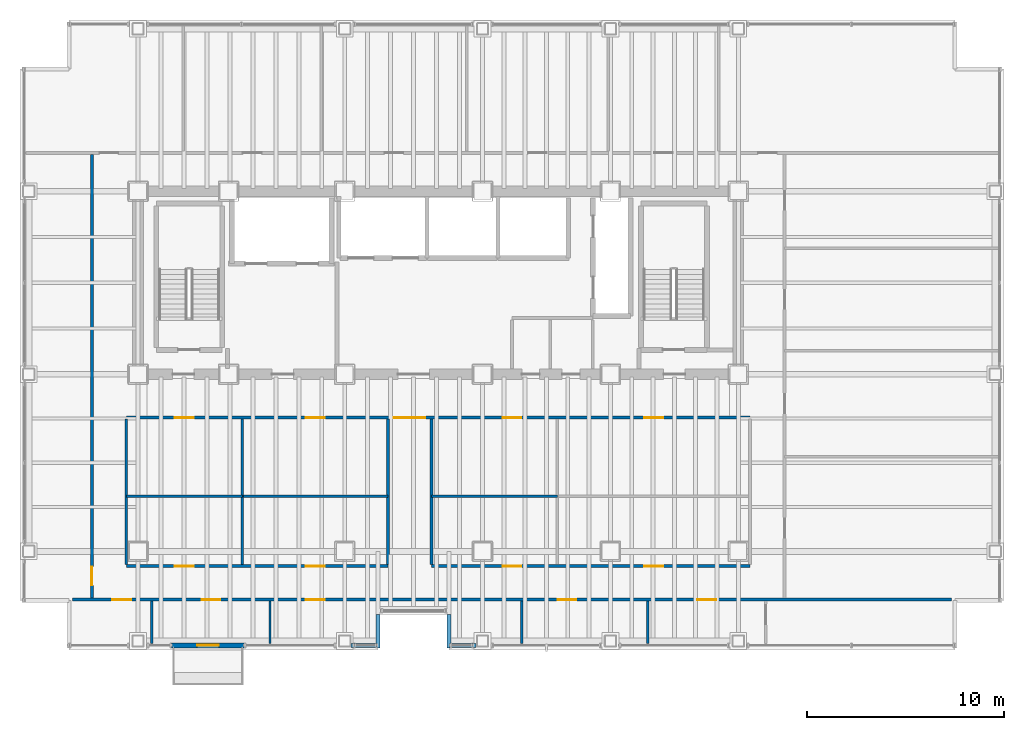
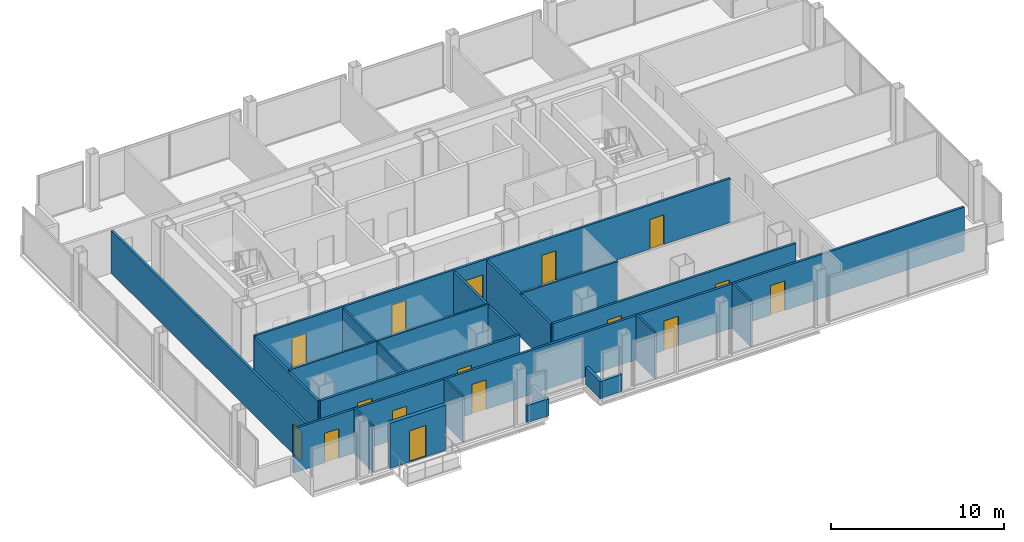
# One storey, part 17 of 20: 21 walls, 16 doors, 16 openings.
"""IFC4 building model written with IfcOpenShell, lengths in metres."""

from ifc_helpers import new_model, si_unit, direction, frame, frame_2d, origin, place, context, subcontext, project, spatial, rectangle, extrude, material, layer, layer_set, type_object, element, fill, save


model = new_model("IFC4")

# Units and contexts
model_context = context("Model", 3, precision=1e-05, world=origin(), true_north=direction((0.0, 1.0)))
body_context = subcontext(model_context, "Body", "Model", "MODEL_VIEW")
ifc_project = project(units=[si_unit("LENGTHUNIT", "METRE"), si_unit("AREAUNIT", "SQUARE_METRE"), si_unit("VOLUMEUNIT", "CUBIC_METRE"), si_unit("PLANEANGLEUNIT", "RADIAN"), si_unit("MASSUNIT", "GRAM", prefix="KILO")], contexts=[model_context])

# Site, building, storey
site_placement = place(None, origin())
site = spatial("IfcSite", under=ifc_project, at=site_placement, CompositionType="ELEMENT")
building_placement = place(site_placement, origin())
building = spatial("IfcBuilding", under=site, at=building_placement, Name="Noeulbin Bourse Tower", CompositionType="ELEMENT")
storey_placement = place(building_placement, frame((0.0, 0.0, 69.39990234375)))
storey = spatial("IfcBuildingStorey", under=building, at=storey_placement, Name="L17", CompositionType="ELEMENT", Elevation=69.39990234375)

# Wall, opening, door
ifc_material_1 = material(Name="Precast Concrete C40/50", Category="concrete")
ifc_layer_1 = layer(ifc_material_1, 0.25)
ifc_layer_set_1 = layer_set([ifc_layer_1], Name="Precast Concrete C40/50")
wall_type_1 = type_object("IfcWallType", Name="WAL-EXT-250", PredefinedType="STANDARD", material=ifc_layer_set_1)
wall_1_placement = place(storey_placement, frame((15.199951171875, 15.219970703125, 0.0), z_axis=(0.0, 0.0, 1.0), x_axis=(1.0, 0.0, 0.0)))
wall_1 = element("IfcWall", 1, at=wall_1_placement, inside=storey, type_object=wall_type_1, Name="Balcony Threshold Wall L17", PredefinedType="STANDARD", context=body_context, shape_type="SweptSolid", body=[
    extrude(rectangle(XDim=3.699951171875, YDim=0.25, at=frame_2d((1.85009765625, 0.0))), origin(), (0.0, 0.0, 1.0), 3.18017578125),
])
opening_1_placement = place(wall_1_placement, frame((1.300048828125, 0.0, 0.0)))
opening_1 = element("IfcOpeningElement", 2, at=opening_1_placement, cuts=wall_1, Name="Opening BD-11", PredefinedType="OPENING", context=body_context, shape_type="SweptSolid", body=[
    extrude(rectangle(XDim=1.10009765625, YDim=2.199951171875, at=frame_2d((0.550048828125, 1.10009765625))), frame((0.0, 0.135009765625, 0.0), z_axis=(0.0, -1.0, 0.0), x_axis=(1.0, 0.0, 0.0)), (0.0, 0.0, 1.0), 0.27001953125),
])
ifc_material_2 = material(Name="Thermally Broken Aluminium Framed Glass", Category="aluminium")
door_type_1 = type_object("IfcDoorType", Name="DR-BAL-1100", OperationType="SINGLE_SWING_LEFT", PredefinedType="DOOR", material=ifc_material_2)
door_1_placement = place(opening_1_placement, origin())
door_1 = element("IfcDoor", 3, at=door_1_placement, inside=storey, type_object=door_type_1, Name="Tree-Balcony Access Door BD-L17", OperationType="SINGLE_SWING_LEFT", OverallHeight=2.199951171875, OverallWidth=1.10009765625, PredefinedType="DOOR", context=body_context, shape_type="SweptSolid", body=[
    extrude(rectangle(XDim=1.10009765625, YDim=2.199951171875, at=frame_2d((0.550048828125, 1.10009765625))), frame((0.0, 0.02490234375, 0.0), z_axis=(0.0, -1.0, 0.0), x_axis=(1.0, 0.0, 0.0)), (0.0, 0.0, 1.0), 0.050048828125),
])
fill(opening_1, door_1)

# Walls
ifc_material_3 = material(Name="Concrete C40/50", Category="concrete")
ifc_layer_2 = layer(ifc_material_3, 0.199951171875)
ifc_layer_set_2 = layer_set([ifc_layer_2], Name="Concrete C40/50")
wall_type_2 = type_object("IfcWallType", Name="WAL-PAR-200", PredefinedType="PARAPET", material=ifc_layer_set_2)
for number, where, z_axis, x_axis, name in (
    (4, (24.320068359375, 15.219970703125, 0.0), (0.0, 0.0, 1.0), (1.0, 0.0, 0.0), "Perimeter Pier Spandrel Parapet L17-S1"),
    (5, (29.35009765625, 15.219970703125, 0.0), (0.0, 0.0, 1.0), (1.0, 0.0, 0.0), "Perimeter Pier Spandrel Parapet L17-S2"),
):
    element("IfcWall", number, at=place(storey_placement, frame(where, z_axis=z_axis, x_axis=x_axis)), inside=storey, type_object=wall_type_2, Name=name, PredefinedType="PARAPET", context=body_context, shape_type="SweptSolid", body=[
        extrude(rectangle(XDim=1.329833984375, YDim=0.199951171875, at=frame_2d((0.6650390625, 0.0))), origin(), (0.0, 0.0, 1.0), 1.2001953125),
    ])
for number, where, z_axis, x_axis, name in (
    (6, (25.699951171875, 15.10009765625, 0.0), (0.0, 0.0, 1.0), (0.0, 1.0, 0.0), "Sky-Garden Recess Parapet L17-W"),
    (7, (29.300048828125, 16.800048828125, 0.0), (0.0, 0.0, 1.0), (0.0, -1.0, 0.0), "Sky-Garden Recess Parapet L17-E"),
):
    element("IfcWall", number, at=place(storey_placement, frame(where, z_axis=z_axis, x_axis=x_axis)), inside=storey, type_object=wall_type_2, Name=name, PredefinedType="PARAPET", context=body_context, shape_type="SweptSolid", body=[
        extrude(rectangle(XDim=1.699951171875, YDim=0.199951171875, at=frame_2d((0.85009765625, 0.0))), origin(), (0.0, 0.0, 1.0), 1.2001953125),
    ])
ifc_material_4 = material(Name="Steel Stud Gypsum Partition", Category="steel")
ifc_layer_3 = layer(ifc_material_4, 0.1201171875)
ifc_layer_set_3 = layer_set([ifc_layer_3], Name="Steel Stud Gypsum Partition")
wall_type_3 = type_object("IfcWallType", Name="WAL-PRT-120", PredefinedType="PARTITIONING", material=ifc_layer_set_3)
wall_2_placement = place(storey_placement, frame((12.89990234375, 22.800048828125, 0.0), z_axis=(0.0, 0.0, 1.0), x_axis=(1.0, 0.0, 0.0)))
element("IfcWall", 8, at=wall_2_placement, inside=storey, type_object=wall_type_3, Name="Interior Partition Wall L17-07", PredefinedType="PARTITIONING", context=body_context, shape_type="SweptSolid", body=[
    extrude(rectangle(XDim=5.900146484375, YDim=0.1201171875, at=frame_2d((2.9501953125, 0.0))), origin(), (0.0, 0.0, 1.0), 3.10009765625),
])
wall_3_placement = place(storey_placement, frame((18.800048828125, 22.800048828125, 0.0), z_axis=(0.0, 0.0, 1.0), x_axis=(1.0, 0.0, 0.0)))
element("IfcWall", 9, at=wall_3_placement, inside=storey, type_object=wall_type_3, Name="Interior Partition Wall L17-08", PredefinedType="PARTITIONING", context=body_context, shape_type="SweptSolid", body=[
    extrude(rectangle(XDim=7.39990234375, YDim=0.1201171875, at=frame_2d((3.699951171875, 0.0))), origin(), (0.0, 0.0, 1.0), 3.10009765625),
])
wall_4_placement = place(storey_placement, frame((28.39990234375, 22.800048828125, 0.0), z_axis=(0.0, 0.0, 1.0), x_axis=(1.0, 0.0, 0.0)))
element("IfcWall", 10, at=wall_4_placement, inside=storey, type_object=wall_type_3, Name="Interior Partition Wall L17-09", PredefinedType="PARTITIONING", context=body_context, shape_type="SweptSolid", body=[
    extrude(rectangle(XDim=6.400146484375, YDim=0.1201171875, at=frame_2d((3.2001953125, 0.0))), origin(), (0.0, 0.0, 1.0), 3.10009765625),
])
for number, where, z_axis, x_axis, name in (
    (11, (14.199951171875, 15.31005859375, 0.0), (0.0, 0.0, 1.0), (0.0, 1.0, 0.0), "Interior Partition Wall L17-27"),
    (12, (20.199951171875, 15.31005859375, 0.0), (0.0, 0.0, 1.0), (0.0, 1.0, 0.0), "Interior Partition Wall L17-28"),
    (13, (33.0, 15.31005859375, 0.0), (0.0, 0.0, 1.0), (0.0, 1.0, 0.0), "Interior Partition Wall L17-29"),
    (14, (39.39990234375, 15.31005859375, 0.0), (0.0, 0.0, 1.0), (0.0, 1.0, 0.0), "Interior Partition Wall L17-30"),
):
    element("IfcWall", number, at=place(storey_placement, frame(where, z_axis=z_axis, x_axis=x_axis)), inside=storey, type_object=wall_type_3, Name=name, PredefinedType="PARTITIONING", context=body_context, shape_type="SweptSolid", body=[
        extrude(rectangle(XDim=2.155029296875, YDim=0.1201171875, at=frame_2d((1.07763671875, 0.0))), origin(), (0.0, 0.0, 1.0), 3.212158203125),
    ])
wall_5_placement = place(storey_placement, frame((18.800048828125, 19.3349609375, 0.0), z_axis=(0.0, 0.0, 1.0), x_axis=(0.0, 1.0, 0.0)))
element("IfcWall", 15, at=wall_5_placement, inside=storey, type_object=wall_type_3, Name="Interior Partition Wall L17-32", PredefinedType="PARTITIONING", context=body_context, shape_type="SweptSolid", body=[
    extrude(rectangle(XDim=7.380126953125, YDim=0.1201171875, at=frame_2d((3.68994140625, 0.0))), origin(), (0.0, 0.0, 1.0), 3.0),
])

# Wall, openings, doors
ifc_material_5 = material(Name="Steel Stud Acoustic Gypsum Board", Category="steel")
ifc_layer_4 = layer(ifc_material_5, 0.14990234375)
ifc_layer_set_4 = layer_set([ifc_layer_4], Name="Steel Stud Acoustic Gypsum Board")
wall_type_4 = type_object("IfcWallType", Name="WAL-PRT-150", PredefinedType="PARTITIONING", material=ifc_layer_set_4)
wall_6_placement = place(storey_placement, frame((12.89990234375, 26.800048828125, 0.0), z_axis=(0.0, 0.0, 1.0), x_axis=(1.0, 0.0, 0.0)))
wall_6 = element("IfcWall", 16, at=wall_6_placement, inside=storey, type_object=wall_type_4, Name="Interior Partition Wall L17-03", PredefinedType="PARTITIONING", context=body_context, shape_type="SweptSolid", body=[
    extrude(rectangle(XDim=31.7001953125, YDim=0.14990234375, at=frame_2d((15.85009765625, 0.0))), origin(), (0.0, 0.0, 1.0), 3.10009765625),
])
opening_2_placement = place(wall_6_placement, frame((13.60009765625, 0.0, 0.0)))
opening_2 = element("IfcOpeningElement", 17, at=opening_2_placement, cuts=wall_6, Name="Opening ID-16", PredefinedType="OPENING", context=body_context, shape_type="SweptSolid", body=[
    extrude(rectangle(XDim=1.60009765625, YDim=2.080078125, at=frame_2d((0.800048828125, 1.0400390625))), frame((0.0, 0.0849609375, 0.0), z_axis=(0.0, -1.0, 0.0), x_axis=(1.0, 0.0, 0.0)), (0.0, 0.0, 1.0), 0.169921875),
])
opening_3_placement = place(wall_6_placement, frame((2.47509765625, 0.0, 0.0)))
opening_3 = element("IfcOpeningElement", 18, at=opening_3_placement, cuts=wall_6, Name="Opening ID-09", PredefinedType="OPENING", context=body_context, shape_type="SweptSolid", body=[
    extrude(rectangle(XDim=0.949951171875, YDim=2.080078125, at=frame_2d((0.47509765625, 1.0400390625))), frame((0.0, 0.0849609375, 0.0), z_axis=(0.0, -1.0, 0.0), x_axis=(1.0, 0.0, 0.0)), (0.0, 0.0, 1.0), 0.169921875),
])
opening_4_placement = place(wall_6_placement, frame((9.125, 0.0, 0.0)))
opening_4 = element("IfcOpeningElement", 19, at=opening_4_placement, cuts=wall_6, Name="Opening ID-09", PredefinedType="OPENING", context=body_context, shape_type="SweptSolid", body=[
    extrude(rectangle(XDim=0.949951171875, YDim=2.080078125, at=frame_2d((0.47509765625, 1.0400390625))), frame((0.0, 0.0849609375, 0.0), z_axis=(0.0, -1.0, 0.0), x_axis=(1.0, 0.0, 0.0)), (0.0, 0.0, 1.0), 0.169921875),
])
opening_5_placement = place(wall_6_placement, frame((19.125, 0.0, 0.0)))
opening_5 = element("IfcOpeningElement", 20, at=opening_5_placement, cuts=wall_6, Name="Opening ID-09", PredefinedType="OPENING", context=body_context, shape_type="SweptSolid", body=[
    extrude(rectangle(XDim=0.949951171875, YDim=2.080078125, at=frame_2d((0.47509765625, 1.0400390625))), frame((0.0, 0.0849609375, 0.0), z_axis=(0.0, -1.0, 0.0), x_axis=(1.0, 0.0, 0.0)), (0.0, 0.0, 1.0), 0.169921875),
])
opening_6_placement = place(wall_6_placement, frame((26.324951171875, 0.0, 0.0)))
opening_6 = element("IfcOpeningElement", 21, at=opening_6_placement, cuts=wall_6, Name="Opening ID-09", PredefinedType="OPENING", context=body_context, shape_type="SweptSolid", body=[
    extrude(rectangle(XDim=0.949951171875, YDim=2.080078125, at=frame_2d((0.47509765625, 1.0400390625))), frame((0.0, 0.0849609375, 0.0), z_axis=(0.0, -1.0, 0.0), x_axis=(1.0, 0.0, 0.0)), (0.0, 0.0, 1.0), 0.169921875),
])
ifc_material_6 = material(Name="Acoustic Glazed Aluminium", Category="aluminium")
door_type_2 = type_object("IfcDoorType", Name="DR-DBL-1600", OperationType="DOUBLE_DOOR_SINGLE_SWING", PredefinedType="DOOR", material=ifc_material_6)
door_2_placement = place(opening_2_placement, origin())
door_2 = element("IfcDoor", 22, at=door_2_placement, inside=storey, type_object=door_type_2, Name="Interior Door L17-07", OperationType="DOUBLE_DOOR_SINGLE_SWING", OverallHeight=2.080078125, OverallWidth=1.60009765625, PredefinedType="DOOR", context=body_context, shape_type="SweptSolid", body=[
    extrude(rectangle(XDim=1.60009765625, YDim=2.080078125, at=frame_2d((0.800048828125, 1.0400390625))), frame((0.0, 0.02490234375, 0.0), z_axis=(0.0, -1.0, 0.0), x_axis=(1.0, 0.0, 0.0)), (0.0, 0.0, 1.0), 0.050048828125),
])
fill(opening_2, door_2)
ifc_material_7 = material(Name="Acoustic Solid-Core Timber", Category="wood")
door_type_3 = type_object("IfcDoorType", Name="DR-SINGLE-950", OperationType="SINGLE_SWING_LEFT", PredefinedType="DOOR", material=ifc_material_7)
door_3_placement = place(opening_3_placement, origin())
door_3 = element("IfcDoor", 23, at=door_3_placement, inside=storey, type_object=door_type_3, Name="Interior Door L17-14", OperationType="SINGLE_SWING_LEFT", OverallHeight=2.080078125, OverallWidth=0.949951171875, PredefinedType="DOOR", context=body_context, shape_type="SweptSolid", body=[
    extrude(rectangle(XDim=0.949951171875, YDim=2.080078125, at=frame_2d((0.47509765625, 1.0400390625))), frame((0.0, 0.02490234375, 0.0), z_axis=(0.0, -1.0, 0.0), x_axis=(1.0, 0.0, 0.0)), (0.0, 0.0, 1.0), 0.050048828125),
])
fill(opening_3, door_3)
door_4_placement = place(opening_4_placement, origin())
door_4 = element("IfcDoor", 24, at=door_4_placement, inside=storey, type_object=door_type_3, Name="Interior Door L17-16", OperationType="SINGLE_SWING_LEFT", OverallHeight=2.080078125, OverallWidth=0.949951171875, PredefinedType="DOOR", context=body_context, shape_type="SweptSolid", body=[
    extrude(rectangle(XDim=0.949951171875, YDim=2.080078125, at=frame_2d((0.47509765625, 1.0400390625))), frame((0.0, 0.02490234375, 0.0), z_axis=(0.0, -1.0, 0.0), x_axis=(1.0, 0.0, 0.0)), (0.0, 0.0, 1.0), 0.050048828125),
])
fill(opening_4, door_4)
door_5_placement = place(opening_5_placement, origin())
door_5 = element("IfcDoor", 25, at=door_5_placement, inside=storey, type_object=door_type_3, Name="Interior Door L17-18", OperationType="SINGLE_SWING_LEFT", OverallHeight=2.080078125, OverallWidth=0.949951171875, PredefinedType="DOOR", context=body_context, shape_type="SweptSolid", body=[
    extrude(rectangle(XDim=0.949951171875, YDim=2.080078125, at=frame_2d((0.47509765625, 1.0400390625))), frame((0.0, 0.02490234375, 0.0), z_axis=(0.0, -1.0, 0.0), x_axis=(1.0, 0.0, 0.0)), (0.0, 0.0, 1.0), 0.050048828125),
])
fill(opening_5, door_5)
door_6_placement = place(opening_6_placement, origin())
door_6 = element("IfcDoor", 26, at=door_6_placement, inside=storey, type_object=door_type_3, Name="Interior Door L17-20", OperationType="SINGLE_SWING_LEFT", OverallHeight=2.080078125, OverallWidth=0.949951171875, PredefinedType="DOOR", context=body_context, shape_type="SweptSolid", body=[
    extrude(rectangle(XDim=0.949951171875, YDim=2.080078125, at=frame_2d((0.47509765625, 1.0400390625))), frame((0.0, 0.02490234375, 0.0), z_axis=(0.0, -1.0, 0.0), x_axis=(1.0, 0.0, 0.0)), (0.0, 0.0, 1.0), 0.050048828125),
])
fill(opening_6, door_6)

wall_7_placement = place(storey_placement, frame((10.159912109375, 17.550048828125, 0.0), z_axis=(0.0, 0.0, 1.0), x_axis=(1.0, 0.0, 0.0)))
wall_7 = element("IfcWall", 27, at=wall_7_placement, inside=storey, type_object=wall_type_4, Name="Interior Partition Wall L17-04", PredefinedType="PARTITIONING", context=body_context, shape_type="SweptSolid", body=[
    extrude(rectangle(XDim=44.68017578125, YDim=0.14990234375, at=frame_2d((22.340087890625, 0.0))), origin(), (0.0, 0.0, 1.0), 3.10009765625),
])
opening_7_placement = place(wall_7_placement, frame((2.0400390625, 0.0, 0.0)))
opening_7 = element("IfcOpeningElement", 28, at=opening_7_placement, cuts=wall_7, Name="Opening ID-09", PredefinedType="OPENING", context=body_context, shape_type="SweptSolid", body=[
    extrude(rectangle(XDim=0.949951171875, YDim=2.080078125, at=frame_2d((0.47509765625, 1.0400390625))), frame((0.0, 0.0849609375, 0.0), z_axis=(0.0, -1.0, 0.0), x_axis=(1.0, 0.0, 0.0)), (0.0, 0.0, 1.0), 0.169921875),
])
opening_8_placement = place(wall_7_placement, frame((6.56494140625, 0.0, 0.0)))
opening_8 = element("IfcOpeningElement", 29, at=opening_8_placement, cuts=wall_7, Name="Opening ID-09", PredefinedType="OPENING", context=body_context, shape_type="SweptSolid", body=[
    extrude(rectangle(XDim=0.949951171875, YDim=2.080078125, at=frame_2d((0.47509765625, 1.0400390625))), frame((0.0, 0.0849609375, 0.0), z_axis=(0.0, -1.0, 0.0), x_axis=(1.0, 0.0, 0.0)), (0.0, 0.0, 1.0), 0.169921875),
])
opening_9_placement = place(wall_7_placement, frame((11.864990234375, 0.0, 0.0)))
opening_9 = element("IfcOpeningElement", 30, at=opening_9_placement, cuts=wall_7, Name="Opening ID-09", PredefinedType="OPENING", context=body_context, shape_type="SweptSolid", body=[
    extrude(rectangle(XDim=0.949951171875, YDim=2.080078125, at=frame_2d((0.47509765625, 1.0400390625))), frame((0.0, 0.0849609375, 0.0), z_axis=(0.0, -1.0, 0.0), x_axis=(1.0, 0.0, 0.0)), (0.0, 0.0, 1.0), 0.169921875),
])
opening_10_placement = place(wall_7_placement, frame((24.6650390625, 0.0, 0.0)))
opening_10 = element("IfcOpeningElement", 31, at=opening_10_placement, cuts=wall_7, Name="Opening ID-09", PredefinedType="OPENING", context=body_context, shape_type="SweptSolid", body=[
    extrude(rectangle(XDim=0.949951171875, YDim=2.080078125, at=frame_2d((0.47509765625, 1.0400390625))), frame((0.0, 0.0849609375, 0.0), z_axis=(0.0, -1.0, 0.0), x_axis=(1.0, 0.0, 0.0)), (0.0, 0.0, 1.0), 0.169921875),
])
opening_11_placement = place(wall_7_placement, frame((31.764892578125, 0.0, 0.0)))
opening_11 = element("IfcOpeningElement", 32, at=opening_11_placement, cuts=wall_7, Name="Opening ID-09", PredefinedType="OPENING", context=body_context, shape_type="SweptSolid", body=[
    extrude(rectangle(XDim=0.949951171875, YDim=2.080078125, at=frame_2d((0.47509765625, 1.0400390625))), frame((0.0, 0.0849609375, 0.0), z_axis=(0.0, -1.0, 0.0), x_axis=(1.0, 0.0, 0.0)), (0.0, 0.0, 1.0), 0.169921875),
])
door_7_placement = place(opening_7_placement, origin())
door_7 = element("IfcDoor", 33, at=door_7_placement, inside=storey, type_object=door_type_3, Name="Interior Door L17-08", OperationType="SINGLE_SWING_LEFT", OverallHeight=2.080078125, OverallWidth=0.949951171875, PredefinedType="DOOR", context=body_context, shape_type="SweptSolid", body=[
    extrude(rectangle(XDim=0.949951171875, YDim=2.080078125, at=frame_2d((0.47509765625, 1.0400390625))), frame((0.0, 0.02490234375, 0.0), z_axis=(0.0, -1.0, 0.0), x_axis=(1.0, 0.0, 0.0)), (0.0, 0.0, 1.0), 0.050048828125),
])
fill(opening_7, door_7)
door_8_placement = place(opening_8_placement, origin())
door_8 = element("IfcDoor", 34, at=door_8_placement, inside=storey, type_object=door_type_3, Name="Interior Door L17-09", OperationType="SINGLE_SWING_RIGHT", OverallHeight=2.080078125, OverallWidth=0.949951171875, PredefinedType="DOOR", context=body_context, shape_type="SweptSolid", body=[
    extrude(rectangle(XDim=0.949951171875, YDim=2.080078125, at=frame_2d((0.47509765625, 1.0400390625))), frame((0.0, 0.02490234375, 0.0), z_axis=(0.0, -1.0, 0.0), x_axis=(1.0, 0.0, 0.0)), (0.0, 0.0, 1.0), 0.050048828125),
])
fill(opening_8, door_8)
door_9_placement = place(opening_9_placement, origin())
door_9 = element("IfcDoor", 35, at=door_9_placement, inside=storey, type_object=door_type_3, Name="Interior Door L17-10", OperationType="SINGLE_SWING_LEFT", OverallHeight=2.080078125, OverallWidth=0.949951171875, PredefinedType="DOOR", context=body_context, shape_type="SweptSolid", body=[
    extrude(rectangle(XDim=0.949951171875, YDim=2.080078125, at=frame_2d((0.47509765625, 1.0400390625))), frame((0.0, 0.02490234375, 0.0), z_axis=(0.0, -1.0, 0.0), x_axis=(1.0, 0.0, 0.0)), (0.0, 0.0, 1.0), 0.050048828125),
])
fill(opening_9, door_9)
door_10_placement = place(opening_10_placement, origin())
door_10 = element("IfcDoor", 36, at=door_10_placement, inside=storey, type_object=door_type_3, Name="Interior Door L17-11", OperationType="SINGLE_SWING_RIGHT", OverallHeight=2.080078125, OverallWidth=0.949951171875, PredefinedType="DOOR", context=body_context, shape_type="SweptSolid", body=[
    extrude(rectangle(XDim=0.949951171875, YDim=2.080078125, at=frame_2d((0.47509765625, 1.0400390625))), frame((0.0, 0.02490234375, 0.0), z_axis=(0.0, -1.0, 0.0), x_axis=(1.0, 0.0, 0.0)), (0.0, 0.0, 1.0), 0.050048828125),
])
fill(opening_10, door_10)
door_11_placement = place(opening_11_placement, origin())
door_11 = element("IfcDoor", 37, at=door_11_placement, inside=storey, type_object=door_type_3, Name="Interior Door L17-12", OperationType="SINGLE_SWING_LEFT", OverallHeight=2.080078125, OverallWidth=0.949951171875, PredefinedType="DOOR", context=body_context, shape_type="SweptSolid", body=[
    extrude(rectangle(XDim=0.949951171875, YDim=2.080078125, at=frame_2d((0.47509765625, 1.0400390625))), frame((0.0, 0.02490234375, 0.0), z_axis=(0.0, -1.0, 0.0), x_axis=(1.0, 0.0, 0.0)), (0.0, 0.0, 1.0), 0.050048828125),
])
fill(opening_11, door_11)

wall_8_placement = place(storey_placement, frame((12.89990234375, 19.25, 0.0), z_axis=(0.0, 0.0, 1.0), x_axis=(1.0, 0.0, 0.0)))
wall_8 = element("IfcWall", 38, at=wall_8_placement, inside=storey, type_object=wall_type_4, Name="Interior Partition Wall L17-05", PredefinedType="PARTITIONING", context=body_context, shape_type="SweptSolid", body=[
    extrude(rectangle(XDim=13.300048828125, YDim=0.14990234375, at=frame_2d((6.64990234375, 0.0))), origin(), (0.0, 0.0, 1.0), 3.10009765625),
])
opening_12_placement = place(wall_8_placement, frame((2.47509765625, 0.0, 0.0)))
opening_12 = element("IfcOpeningElement", 39, at=opening_12_placement, cuts=wall_8, Name="Opening ID-09", PredefinedType="OPENING", context=body_context, shape_type="SweptSolid", body=[
    extrude(rectangle(XDim=0.949951171875, YDim=2.080078125, at=frame_2d((0.47509765625, 1.0400390625))), frame((0.0, 0.0849609375, 0.0), z_axis=(0.0, -1.0, 0.0), x_axis=(1.0, 0.0, 0.0)), (0.0, 0.0, 1.0), 0.169921875),
])
opening_13_placement = place(wall_8_placement, frame((9.125, 0.0, 0.0)))
opening_13 = element("IfcOpeningElement", 40, at=opening_13_placement, cuts=wall_8, Name="Opening ID-09", PredefinedType="OPENING", context=body_context, shape_type="SweptSolid", body=[
    extrude(rectangle(XDim=0.949951171875, YDim=2.080078125, at=frame_2d((0.47509765625, 1.0400390625))), frame((0.0, 0.0849609375, 0.0), z_axis=(0.0, -1.0, 0.0), x_axis=(1.0, 0.0, 0.0)), (0.0, 0.0, 1.0), 0.169921875),
])
door_12_placement = place(opening_12_placement, origin())
door_12 = element("IfcDoor", 41, at=door_12_placement, inside=storey, type_object=door_type_3, Name="Interior Door L17-15", OperationType="SINGLE_SWING_RIGHT", OverallHeight=2.080078125, OverallWidth=0.949951171875, PredefinedType="DOOR", context=body_context, shape_type="SweptSolid", body=[
    extrude(rectangle(XDim=0.949951171875, YDim=2.080078125, at=frame_2d((0.47509765625, 1.0400390625))), frame((0.0, 0.02490234375, 0.0), z_axis=(0.0, -1.0, 0.0), x_axis=(1.0, 0.0, 0.0)), (0.0, 0.0, 1.0), 0.050048828125),
])
fill(opening_12, door_12)
door_13_placement = place(opening_13_placement, origin())
door_13 = element("IfcDoor", 42, at=door_13_placement, inside=storey, type_object=door_type_3, Name="Interior Door L17-17", OperationType="SINGLE_SWING_RIGHT", OverallHeight=2.080078125, OverallWidth=0.949951171875, PredefinedType="DOOR", context=body_context, shape_type="SweptSolid", body=[
    extrude(rectangle(XDim=0.949951171875, YDim=2.080078125, at=frame_2d((0.47509765625, 1.0400390625))), frame((0.0, 0.02490234375, 0.0), z_axis=(0.0, -1.0, 0.0), x_axis=(1.0, 0.0, 0.0)), (0.0, 0.0, 1.0), 0.050048828125),
])
fill(opening_13, door_13)

wall_9_placement = place(storey_placement, frame((28.39990234375, 19.25, 0.0), z_axis=(0.0, 0.0, 1.0), x_axis=(1.0, 0.0, 0.0)))
wall_9 = element("IfcWall", 43, at=wall_9_placement, inside=storey, type_object=wall_type_4, Name="Interior Partition Wall L17-06", PredefinedType="PARTITIONING", context=body_context, shape_type="SweptSolid", body=[
    extrude(rectangle(XDim=16.2001953125, YDim=0.14990234375, at=frame_2d((8.10009765625, 0.0))), origin(), (0.0, 0.0, 1.0), 3.10009765625),
])
opening_14_placement = place(wall_9_placement, frame((3.625, 0.0, 0.0)))
opening_14 = element("IfcOpeningElement", 44, at=opening_14_placement, cuts=wall_9, Name="Opening ID-09", PredefinedType="OPENING", context=body_context, shape_type="SweptSolid", body=[
    extrude(rectangle(XDim=0.949951171875, YDim=2.080078125, at=frame_2d((0.47509765625, 1.0400390625))), frame((0.0, 0.0849609375, 0.0), z_axis=(0.0, -1.0, 0.0), x_axis=(1.0, 0.0, 0.0)), (0.0, 0.0, 1.0), 0.169921875),
])
opening_15_placement = place(wall_9_placement, frame((10.824951171875, 0.0, 0.0)))
opening_15 = element("IfcOpeningElement", 45, at=opening_15_placement, cuts=wall_9, Name="Opening ID-09", PredefinedType="OPENING", context=body_context, shape_type="SweptSolid", body=[
    extrude(rectangle(XDim=0.949951171875, YDim=2.080078125, at=frame_2d((0.47509765625, 1.0400390625))), frame((0.0, 0.0849609375, 0.0), z_axis=(0.0, -1.0, 0.0), x_axis=(1.0, 0.0, 0.0)), (0.0, 0.0, 1.0), 0.169921875),
])
door_14_placement = place(opening_14_placement, origin())
door_14 = element("IfcDoor", 46, at=door_14_placement, inside=storey, type_object=door_type_3, Name="Interior Door L17-19", OperationType="SINGLE_SWING_RIGHT", OverallHeight=2.080078125, OverallWidth=0.949951171875, PredefinedType="DOOR", context=body_context, shape_type="SweptSolid", body=[
    extrude(rectangle(XDim=0.949951171875, YDim=2.080078125, at=frame_2d((0.47509765625, 1.0400390625))), frame((0.0, 0.02490234375, 0.0), z_axis=(0.0, -1.0, 0.0), x_axis=(1.0, 0.0, 0.0)), (0.0, 0.0, 1.0), 0.050048828125),
])
fill(opening_14, door_14)
door_15_placement = place(opening_15_placement, origin())
door_15 = element("IfcDoor", 47, at=door_15_placement, inside=storey, type_object=door_type_3, Name="Interior Door L17-21", OperationType="SINGLE_SWING_RIGHT", OverallHeight=2.080078125, OverallWidth=0.949951171875, PredefinedType="DOOR", context=body_context, shape_type="SweptSolid", body=[
    extrude(rectangle(XDim=0.949951171875, YDim=2.080078125, at=frame_2d((0.47509765625, 1.0400390625))), frame((0.0, 0.02490234375, 0.0), z_axis=(0.0, -1.0, 0.0), x_axis=(1.0, 0.0, 0.0)), (0.0, 0.0, 1.0), 0.050048828125),
])
fill(opening_15, door_15)

# Walls
for number, where, z_axis, x_axis, name in (
    (48, (26.199951171875, 19.3349609375, 0.0), (0.0, 0.0, 1.0), (0.0, 1.0, 0.0), "Interior Partition Wall L17-21"),
    (49, (28.39990234375, 19.3349609375, 0.0), (0.0, 0.0, 1.0), (0.0, 1.0, 0.0), "Interior Partition Wall L17-22"),
):
    element("IfcWall", number, at=place(storey_placement, frame(where, z_axis=z_axis, x_axis=x_axis)), inside=storey, type_object=wall_type_4, Name=name, PredefinedType="PARTITIONING", context=body_context, shape_type="SweptSolid", body=[
        extrude(rectangle(XDim=7.380126953125, YDim=0.14990234375, at=frame_2d((3.68994140625, 0.0))), origin(), (0.0, 0.0, 1.0), 3.0),
    ])

# Wall, opening, door
wall_10_placement = place(storey_placement, frame((11.14990234375, 17.635009765625, 0.0), z_axis=(0.0, 0.0, 1.0), x_axis=(0.0, 1.0, 0.0)))
wall_10 = element("IfcWall", 50, at=wall_10_placement, inside=storey, type_object=wall_type_4, Name="Interior Partition Wall L17-23", PredefinedType="PARTITIONING", context=body_context, shape_type="SweptSolid", body=[
    extrude(rectangle(XDim=22.530029296875, YDim=0.14990234375, at=frame_2d((11.26513671875, 0.0))), origin(), (0.0, 0.0, 1.0), 3.0),
])
opening_16_placement = place(wall_10_placement, frame((0.639892578125, 0.0, 0.0)))
opening_16 = element("IfcOpeningElement", 51, at=opening_16_placement, cuts=wall_10, Name="Opening ID-09", PredefinedType="OPENING", context=body_context, shape_type="SweptSolid", body=[
    extrude(rectangle(XDim=0.949951171875, YDim=2.080078125, at=frame_2d((0.47509765625, 1.0400390625))), frame((0.0, 0.0849609375, 0.0), z_axis=(0.0, -1.0, 0.0), x_axis=(1.0, 0.0, 0.0)), (0.0, 0.0, 1.0), 0.169921875),
])
door_16_placement = place(opening_16_placement, origin())
door_16 = element("IfcDoor", 52, at=door_16_placement, inside=storey, type_object=door_type_3, Name="Interior Door L17-22", OperationType="SINGLE_SWING_LEFT", OverallHeight=2.080078125, OverallWidth=0.949951171875, PredefinedType="DOOR", context=body_context, shape_type="SweptSolid", body=[
    extrude(rectangle(XDim=0.949951171875, YDim=2.080078125, at=frame_2d((0.47509765625, 1.0400390625))), frame((0.0, 0.02490234375, 0.0), z_axis=(0.0, -1.0, 0.0), x_axis=(1.0, 0.0, 0.0)), (0.0, 0.0, 1.0), 0.050048828125),
])
fill(opening_16, door_16)

# Wall
wall_11_placement = place(storey_placement, frame((12.89990234375, 19.3349609375, 0.0), z_axis=(0.0, 0.0, 1.0), x_axis=(0.0, 1.0, 0.0)))
element("IfcWall", 53, at=wall_11_placement, inside=storey, type_object=wall_type_4, Name="Interior Partition Wall L17-24", PredefinedType="PARTITIONING", context=body_context, shape_type="SweptSolid", body=[
    extrude(rectangle(XDim=7.380126953125, YDim=0.14990234375, at=frame_2d((3.68994140625, 0.0))), origin(), (0.0, 0.0, 1.0), 3.0),
])

save(model, "model.ifc")
